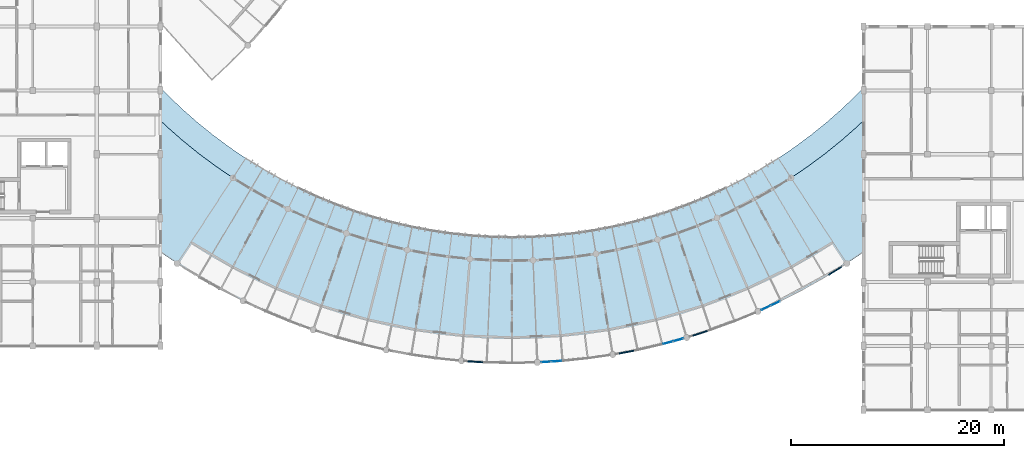
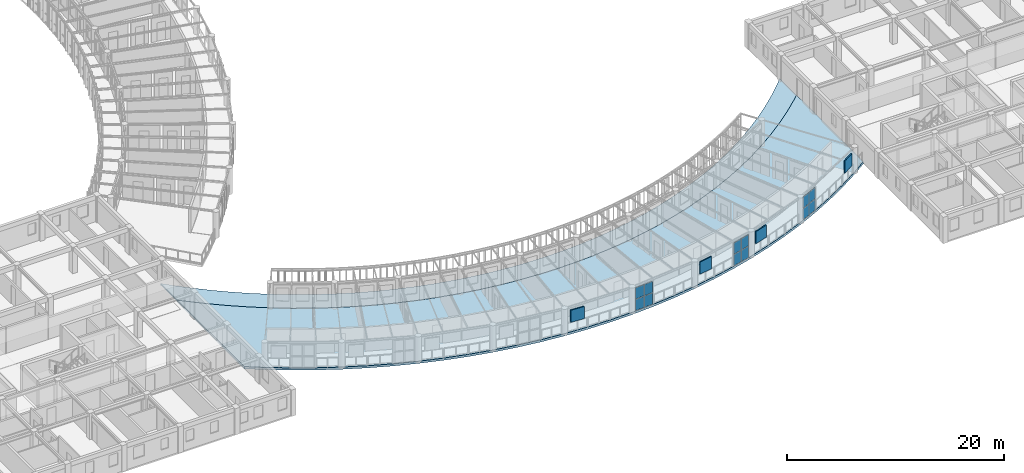
# One storey, part 46 of 101: 16 plates, 2 slabs, 3 elements without a shape of their own.
"""IFC4 building model written with IfcOpenShell, lengths in metres."""

from ifc_helpers import new_model, si_unit, direction, frame, origin, origin_2d, place, context, subcontext, project, spatial, polyline, rectangle, outline, extrude, material, layer, layer_set, type_object, element, aggregate, save


model = new_model("IFC4")

# Units and contexts
model_context = context("Model", 3, precision=1e-05, world=origin(), true_north=direction((0.0, 1.0)))
body_context = subcontext(model_context, "Body", "Model", "MODEL_VIEW")
ifc_project = project(units=[si_unit("LENGTHUNIT", "METRE"), si_unit("AREAUNIT", "SQUARE_METRE"), si_unit("VOLUMEUNIT", "CUBIC_METRE"), si_unit("PLANEANGLEUNIT", "RADIAN"), si_unit("MASSUNIT", "GRAM", prefix="KILO"), si_unit("POWERUNIT", "WATT"), si_unit("THERMODYNAMICTEMPERATUREUNIT", "KELVIN")], contexts=[model_context])

# Site, building, storey
site_placement = place(None, origin())
site = spatial("IfcSite", under=ifc_project, at=site_placement, CompositionType="ELEMENT")
building_placement = place(site_placement, origin())
building = spatial("IfcBuilding", under=site, at=building_placement, Name="Ruvembo Vaulted Housing Court", CompositionType="ELEMENT")
storey_placement = place(building_placement, frame((0.0, 0.0, 17.300048828125)))
storey = spatial("IfcBuildingStorey", under=building, at=storey_placement, Name="L05", CompositionType="ELEMENT", Elevation=17.300048828125)

# Curtain wall, plates
ifc_material_1 = material(Name="Anodised Aluminium and Solar-Control Glass", Category="aluminium")
ifc_layer_1 = layer(ifc_material_1, 0.139892578125, Name="Anodised Aluminium and Solar-Control Glass")
ifc_layer_set_1 = layer_set([ifc_layer_1], Name="Anodised Aluminium and Solar-Control Glass")
curtain_wall_type_1 = type_object("IfcCurtainWallType", Name="CW-SCOOP-PAN", PredefinedType="NOTDEFINED", material=ifc_layer_set_1)
curtain_wall_1_placement = place(storey_placement, origin())
curtain_wall_1 = element("IfcCurtainWall", 1, at=curtain_wall_1_placement, inside=storey, type_object=curtain_wall_type_1, Name="L05 Curtain Wall CW-L05-0057", PredefinedType="NOTDEFINED")
ifc_material_2 = material(Name="Solar-Control Laminated Insulating Glass", Category="glass")
ifc_layer_2 = layer(ifc_material_2, 0.035888671875, Name="Solar-Control Laminated Insulating Glass")
ifc_layer_set_2 = layer_set([ifc_layer_2], Name="Solar-Control Laminated Insulating Glass")
plate_type_1 = type_object("IfcPlateType", Name="CW-PANEL-ACOUST", PredefinedType="CURTAIN_PANEL", material=ifc_layer_set_2)
plate_1_placement = place(storey_placement, frame((83.6630859375, 6.306884765625, 0.06005859375), z_axis=(0.0, 0.0, 1.0), x_axis=(0.964260896003, 0.26495457052, 0.0)))
plate_1 = element("IfcPlate", 2, at=plate_1_placement, type_object=plate_type_1, Name="CW10 panel 1.1", PredefinedType="CURTAIN_PANEL", context=body_context, shape_type="SweptSolid", body=[
    extrude(rectangle(XDim=0.923095703125, YDim=0.035888671875, at=origin_2d()), origin(), (0.0, 0.0, 1.0), 1.2548828125),
])
plate_2_placement = place(storey_placement, frame((83.6630859375, 6.306884765625, 1.375), z_axis=(0.0, 0.0, 1.0), x_axis=(0.964260896003, 0.26495457052, 0.0)))
plate_2 = element("IfcPlate", 3, at=plate_2_placement, type_object=plate_type_1, Name="CW10 panel 1.2", PredefinedType="CURTAIN_PANEL", context=body_context, shape_type="SweptSolid", body=[
    extrude(rectangle(XDim=0.923095703125, YDim=0.035888671875, at=origin_2d()), origin(), (0.0, 0.0, 1.0), 1.2548828125),
])
plate_3_placement = place(storey_placement, frame((84.61083984375, 6.5673828125, 0.06005859375), z_axis=(0.0, 0.0, 1.0), x_axis=(0.964260896003, 0.26495457052, 0.0)))
plate_3 = element("IfcPlate", 4, at=plate_3_placement, type_object=plate_type_1, Name="CW10 panel 2.1", PredefinedType="CURTAIN_PANEL", context=body_context, shape_type="SweptSolid", body=[
    extrude(rectangle(XDim=0.923095703125, YDim=0.035888671875, at=origin_2d()), origin(), (0.0, 0.0, 1.0), 1.2548828125),
])
plate_4_placement = place(storey_placement, frame((84.61083984375, 6.5673828125, 1.375), z_axis=(0.0, 0.0, 1.0), x_axis=(0.964260896003, 0.26495457052, 0.0)))
plate_4 = element("IfcPlate", 5, at=plate_4_placement, type_object=plate_type_1, Name="CW10 panel 2.2", PredefinedType="CURTAIN_PANEL", context=body_context, shape_type="SweptSolid", body=[
    extrude(rectangle(XDim=0.923095703125, YDim=0.035888671875, at=origin_2d()), origin(), (0.0, 0.0, 1.0), 1.2548828125),
])
aggregate(curtain_wall_1, [plate_1, plate_2, plate_3, plate_4])

ifc_layer_3 = layer(ifc_material_1, 0.1201171875, Name="Anodised Aluminium and Solar-Control Glass")
ifc_layer_set_3 = layer_set([ifc_layer_3], Name="Anodised Aluminium and Solar-Control Glass")
curtain_wall_type_2 = type_object("IfcCurtainWallType", Name="CW-SCOOP-GAL", PredefinedType="NOTDEFINED", material=ifc_layer_set_3)
curtain_wall_2_placement = place(storey_placement, origin())
curtain_wall_2 = element("IfcCurtainWall", 6, at=curtain_wall_2_placement, inside=storey, type_object=curtain_wall_type_2, Name="L05 Curtain Wall CW-L05-0056", PredefinedType="NOTDEFINED")
ifc_layer_4 = layer(ifc_material_2, 0.028076171875, Name="Solar-Control Laminated Insulating Glass")
ifc_layer_set_4 = layer_set([ifc_layer_4], Name="Solar-Control Laminated Insulating Glass")
plate_type_2 = type_object("IfcPlateType", Name="CW-PANEL-GLAZED", PredefinedType="CURTAIN_PANEL", material=ifc_layer_set_4)
plate_5_placement = place(storey_placement, frame((72.1953125, 4.499755859375, 0.06005859375), z_axis=(0.0, 0.0, 1.0), x_axis=(0.998085851692, 0.06184361449, 0.0)))
plate_5 = element("IfcPlate", 7, at=plate_5_placement, type_object=plate_type_2, Name="CW6 panel 1.1", PredefinedType="CURTAIN_PANEL", context=body_context, shape_type="SweptSolid", body=[
    extrude(rectangle(XDim=0.923095703125, YDim=0.028076171875, at=origin_2d()), origin(), (0.0, 0.0, 1.0), 1.2548828125),
])
plate_6_placement = place(storey_placement, frame((72.1953125, 4.499755859375, 1.375), z_axis=(0.0, 0.0, 1.0), x_axis=(0.998085851692, 0.06184361449, 0.0)))
plate_6 = element("IfcPlate", 8, at=plate_6_placement, type_object=plate_type_2, Name="CW6 panel 1.2", PredefinedType="CURTAIN_PANEL", context=body_context, shape_type="SweptSolid", body=[
    extrude(rectangle(XDim=0.923095703125, YDim=0.028076171875, at=origin_2d()), origin(), (0.0, 0.0, 1.0), 1.2548828125),
])
plate_7_placement = place(storey_placement, frame((73.176513671875, 4.560546875, 0.06005859375), z_axis=(0.0, 0.0, 1.0), x_axis=(0.998085851692, 0.06184361449, 0.0)))
plate_7 = element("IfcPlate", 9, at=plate_7_placement, type_object=plate_type_2, Name="CW6 panel 2.1", PredefinedType="CURTAIN_PANEL", context=body_context, shape_type="SweptSolid", body=[
    extrude(rectangle(XDim=0.923095703125, YDim=0.028076171875, at=origin_2d()), origin(), (0.0, 0.0, 1.0), 1.2548828125),
])
plate_8_placement = place(storey_placement, frame((73.176513671875, 4.560546875, 1.375), z_axis=(0.0, 0.0, 1.0), x_axis=(0.998085851692, 0.06184361449, 0.0)))
plate_8 = element("IfcPlate", 10, at=plate_8_placement, type_object=plate_type_2, Name="CW6 panel 2.2", PredefinedType="CURTAIN_PANEL", context=body_context, shape_type="SweptSolid", body=[
    extrude(rectangle(XDim=0.923095703125, YDim=0.028076171875, at=origin_2d()), origin(), (0.0, 0.0, 1.0), 1.2548828125),
])
aggregate(curtain_wall_2, [plate_5, plate_6, plate_7, plate_8])

curtain_wall_3_placement = place(storey_placement, origin())
curtain_wall_3 = element("IfcCurtainWall", 11, at=curtain_wall_3_placement, inside=storey, type_object=curtain_wall_type_1, Name="L05 Curtain Wall CW-L05-0058", PredefinedType="NOTDEFINED")
ifc_layer_5 = layer(ifc_material_2, 0.031982421875, Name="Solar-Control Laminated Insulating Glass")
ifc_layer_set_5 = layer_set([ifc_layer_5], Name="Solar-Control Laminated Insulating Glass")
plate_type_3 = type_object("IfcPlateType", Name="CW-PANEL-SOLAR", PredefinedType="CURTAIN_PANEL", material=ifc_layer_set_5)
plate_9_placement = place(storey_placement, frame((92.84033203125, 9.57763671875, 0.06494140625), z_axis=(0.0, 0.0, 1.0), x_axis=(0.907644200013, 0.419740403325, 0.0)))
plate_9 = element("IfcPlate", 12, at=plate_9_placement, type_object=plate_type_3, Name="CW10 panel 1.1", PredefinedType="CURTAIN_PANEL", context=body_context, shape_type="SweptSolid", body=[
    extrude(rectangle(XDim=0.91552734375, YDim=0.031982421875, at=origin_2d()), origin(), (0.0, 0.0, 1.0), 1.24755859375),
])
plate_10_placement = place(storey_placement, frame((92.84033203125, 9.57763671875, 1.37744140625), z_axis=(0.0, 0.0, 1.0), x_axis=(0.907644200013, 0.419740403325, 0.0)))
plate_10 = element("IfcPlate", 13, at=plate_10_placement, type_object=plate_type_3, Name="CW10 panel 1.2", PredefinedType="CURTAIN_PANEL", context=body_context, shape_type="SweptSolid", body=[
    extrude(rectangle(XDim=0.91552734375, YDim=0.031982421875, at=origin_2d()), origin(), (0.0, 0.0, 1.0), 1.24755859375),
])
plate_11_placement = place(storey_placement, frame((93.730224609375, 9.989013671875, 0.06494140625), z_axis=(0.0, 0.0, 1.0), x_axis=(0.907644200013, 0.419740403325, 0.0)))
plate_11 = element("IfcPlate", 14, at=plate_11_placement, type_object=plate_type_3, Name="CW10 panel 2.1", PredefinedType="CURTAIN_PANEL", context=body_context, shape_type="SweptSolid", body=[
    extrude(rectangle(XDim=0.91552734375, YDim=0.031982421875, at=origin_2d()), origin(), (0.0, 0.0, 1.0), 1.24755859375),
])
plate_12_placement = place(storey_placement, frame((93.730224609375, 9.989013671875, 1.37744140625), z_axis=(0.0, 0.0, 1.0), x_axis=(0.907644200013, 0.419740403325, 0.0)))
plate_12 = element("IfcPlate", 15, at=plate_12_placement, type_object=plate_type_3, Name="CW10 panel 2.2", PredefinedType="CURTAIN_PANEL", context=body_context, shape_type="SweptSolid", body=[
    extrude(rectangle(XDim=0.91552734375, YDim=0.031982421875, at=origin_2d()), origin(), (0.0, 0.0, 1.0), 1.24755859375),
])
aggregate(curtain_wall_3, [plate_9, plate_10, plate_11, plate_12])

# Plates
ifc_material_3 = material(Name="Perforated Glazed Ceramic Cobogo Block", Category="ceramic")
ifc_layer_6 = layer(ifc_material_3, 0.1201171875, Name="Perforated Glazed Ceramic Cobogo Block")
ifc_layer_set_6 = layer_set([ifc_layer_6], Name="Perforated Glazed Ceramic Cobogo Block")
plate_type_4 = type_object("IfcPlateType", Name="PL-COBOGO-120", PredefinedType="USERDEFINED", material=ifc_layer_set_6)
for number, where, z_axis, x_axis, name in (
    (16, (65.5634765625, 4.5146484375, 1.1201171875), (0.0, 0.0, 1.0), (0.998086543166, -0.061832453863, 0.0), "Scoop SC2 L05 Ceramic Cobogo Screen #67"),
    (17, (79.752197265625, 5.4248046875, 1.1201171875), (0.0, 0.0, 1.0), (0.982816353606, 0.184586064165, 0.0), "Scoop SC2 L05 Ceramic Cobogo Screen #68"),
    (18, (86.65380859375, 7.184814453125, 1.1201171875), (0.0, 0.0, 1.0), (0.952523417345, 0.304465333674, 0.0), "Scoop SC2 L05 Ceramic Cobogo Screen #69"),
    (19, (99.333251953125, 13.04833984375, 1.1201171875), (0.0, 0.0, 1.0), (0.848888670256, 0.528571684363, 0.0), "Scoop SC2 L05 Ceramic Cobogo Screen #70"),
):
    element("IfcPlate", number, at=place(storey_placement, frame(where, z_axis=z_axis, x_axis=x_axis)), inside=storey, type_object=plate_type_4, Name=name, ObjectType="COBOGO_PANEL", PredefinedType="USERDEFINED", context=body_context, shape_type="SweptSolid", body=[
        extrude(rectangle(XDim=1.39990234375, YDim=0.1201171875, at=origin_2d()), origin(), (0.0, 0.0, 1.0), 1.360107421875),
    ])

# Slabs
ifc_material_4 = material(Name="Concrete C35/45", Category="concrete")
ifc_layer_7 = layer(ifc_material_4, 0.18994140625, Name="Concrete C35/45")
ifc_layer_set_7 = layer_set([ifc_layer_7], Name="Concrete C35/45")
slab_type_1 = type_object("IfcSlabType", Name="SL-BAL-190", PredefinedType="FLOOR", material=ifc_layer_set_7)
slab_1_placement = place(storey_placement, frame((0.0, 0.0, -0.18994140625)))
element("IfcSlab", 20, at=slab_1_placement, inside=storey, type_object=slab_type_1, Name="Scoop SC2 L05 Continuous Curved Balcony Slab", PredefinedType="FLOOR", context=body_context, shape_type="SweptSolid", body=[
    extrude(outline(polyline([(36.0, 30.2548828125), (36.0, 27.156494140625), (36.543701171875, 26.636474609375), (38.02978515625, 25.327880859375), (39.568359375, 24.081787109375), (41.1572265625, 22.900390625), (42.79345703125, 21.785400390625), (44.474365234375, 20.73876953125), (46.19677734375, 19.762451171875), (47.958251953125, 18.85791015625), (49.75537109375, 18.02685546875), (51.585205078125, 17.2705078125), (53.44482421875, 16.59033203125), (55.330810546875, 15.987548828125), (57.239990234375, 15.462890625), (59.169189453125, 15.017578125), (61.115234375, 14.652099609375), (63.07470703125, 14.3671875), (65.044189453125, 14.163330078125), (67.0205078125, 14.040771484375), (69.0, 14.0), (70.9794921875, 14.040771484375), (72.955810546875, 14.163330078125), (74.92529296875, 14.3671875), (76.884765625, 14.652099609375), (78.830810546875, 15.017578125), (80.760009765625, 15.462890625), (82.669189453125, 15.987548828125), (84.55517578125, 16.59033203125), (86.414794921875, 17.2705078125), (88.24462890625, 18.02685546875), (90.041748046875, 18.85791015625), (91.80322265625, 19.762451171875), (93.525634765625, 20.73876953125), (95.20654296875, 21.785400390625), (96.8427734375, 22.900390625), (98.431640625, 24.081787109375), (99.97021484375, 25.327880859375), (101.456298828125, 26.636474609375), (102.0, 27.156494140625), (102.0, 30.2548828125), (101.333984375, 29.563232421875), (99.96875, 28.25732421875), (98.55078125, 27.0087890625), (97.08251953125, 25.81982421875), (95.566650390625, 24.6923828125), (94.00537109375, 23.62841796875), (92.401611328125, 22.6298828125), (90.758056640625, 21.6982421875), (89.077392578125, 20.835205078125), (87.362548828125, 20.042236328125), (85.61669921875, 19.320556640625), (83.84228515625, 18.671630859375), (82.042724609375, 18.096435546875), (80.220947265625, 17.595703125), (78.380126953125, 17.1708984375), (76.523193359375, 16.822021484375), (74.65380859375, 16.55029296875), (72.7744140625, 16.355712890625), (70.888916015625, 16.239013671875), (69.0, 16.199951171875), (67.111083984375, 16.239013671875), (65.2255859375, 16.355712890625), (63.34619140625, 16.55029296875), (61.476806640625, 16.822021484375), (59.619873046875, 17.1708984375), (57.779052734375, 17.595703125), (55.957275390625, 18.096435546875), (54.15771484375, 18.671630859375), (52.38330078125, 19.320556640625), (50.637451171875, 20.042236328125), (48.922607421875, 20.835205078125), (47.241943359375, 21.6982421875), (45.598388671875, 22.6298828125), (43.99462890625, 23.62841796875), (42.433349609375, 24.6923828125), (40.91748046875, 25.81982421875), (39.44921875, 27.0087890625), (38.03125, 28.25732421875), (36.666015625, 29.563232421875), (36.0, 30.2548828125)])), origin(), (0.0, 0.0, 1.0), 0.18994140625),
])
ifc_layer_8 = layer(ifc_material_4, 0.251953125, Name="Concrete C35/45")
ifc_layer_set_8 = layer_set([ifc_layer_8], Name="Concrete C35/45")
slab_type_2 = type_object("IfcSlabType", Name="SL-SCOOP-252", PredefinedType="FLOOR", material=ifc_layer_set_8)
slab_2_placement = place(storey_placement, frame((0.0, 0.0, -0.251953125)))
element("IfcSlab", 21, at=slab_2_placement, inside=storey, type_object=slab_type_2, Name="Scoop SC2 L05 Floor Slab", PredefinedType="FLOOR", context=body_context, shape_type="SweptSolid", body=[
    extrude(outline(polyline([(36.0, 27.156494140625), (36.0, 14.80029296875), (37.55224609375, 13.742431640625), (39.569091796875, 12.486572265625), (41.63623046875, 11.31494140625), (43.749755859375, 10.2294921875), (45.906494140625, 9.232177734375), (48.102294921875, 8.32470703125), (50.333740234375, 7.50830078125), (52.596923828125, 6.784912109375), (54.887939453125, 6.155517578125), (57.203125, 5.62109375), (59.538330078125, 5.182373046875), (61.8896484375, 4.840576171875), (64.2529296875, 4.595947265625), (66.62451171875, 4.448974609375), (69.0, 4.39990234375), (71.37548828125, 4.448974609375), (73.7470703125, 4.595947265625), (76.1103515625, 4.840576171875), (78.461669921875, 5.182373046875), (80.796875, 5.62109375), (83.112060546875, 6.155517578125), (85.403076171875, 6.784912109375), (87.666259765625, 7.50830078125), (89.897705078125, 8.32470703125), (92.093505859375, 9.232177734375), (94.250244140625, 10.2294921875), (96.36376953125, 11.31494140625), (98.430908203125, 12.486572265625), (100.44775390625, 13.742431640625), (102.0, 14.80029296875), (102.0, 27.156494140625), (101.456298828125, 26.636474609375), (99.97021484375, 25.327880859375), (98.431640625, 24.081787109375), (96.8427734375, 22.900390625), (95.20654296875, 21.785400390625), (93.525634765625, 20.73876953125), (91.80322265625, 19.762451171875), (90.041748046875, 18.85791015625), (88.24462890625, 18.02685546875), (86.414794921875, 17.2705078125), (84.55517578125, 16.59033203125), (82.669189453125, 15.987548828125), (80.760009765625, 15.462890625), (78.830810546875, 15.017578125), (76.884765625, 14.652099609375), (74.92529296875, 14.3671875), (72.955810546875, 14.163330078125), (70.9794921875, 14.040771484375), (69.0, 14.0), (67.0205078125, 14.040771484375), (65.044189453125, 14.163330078125), (63.07470703125, 14.3671875), (61.115234375, 14.652099609375), (59.169189453125, 15.017578125), (57.239990234375, 15.462890625), (55.330810546875, 15.987548828125), (53.44482421875, 16.59033203125), (51.585205078125, 17.2705078125), (49.75537109375, 18.02685546875), (47.958251953125, 18.85791015625), (46.19677734375, 19.762451171875), (44.474365234375, 20.73876953125), (42.79345703125, 21.785400390625), (41.1572265625, 22.900390625), (39.568359375, 24.081787109375), (38.02978515625, 25.327880859375), (36.543701171875, 26.636474609375), (36.0, 27.156494140625)])), origin(), (0.0, 0.0, 1.0), 0.251953125),
])

save(model, "model.ifc")
